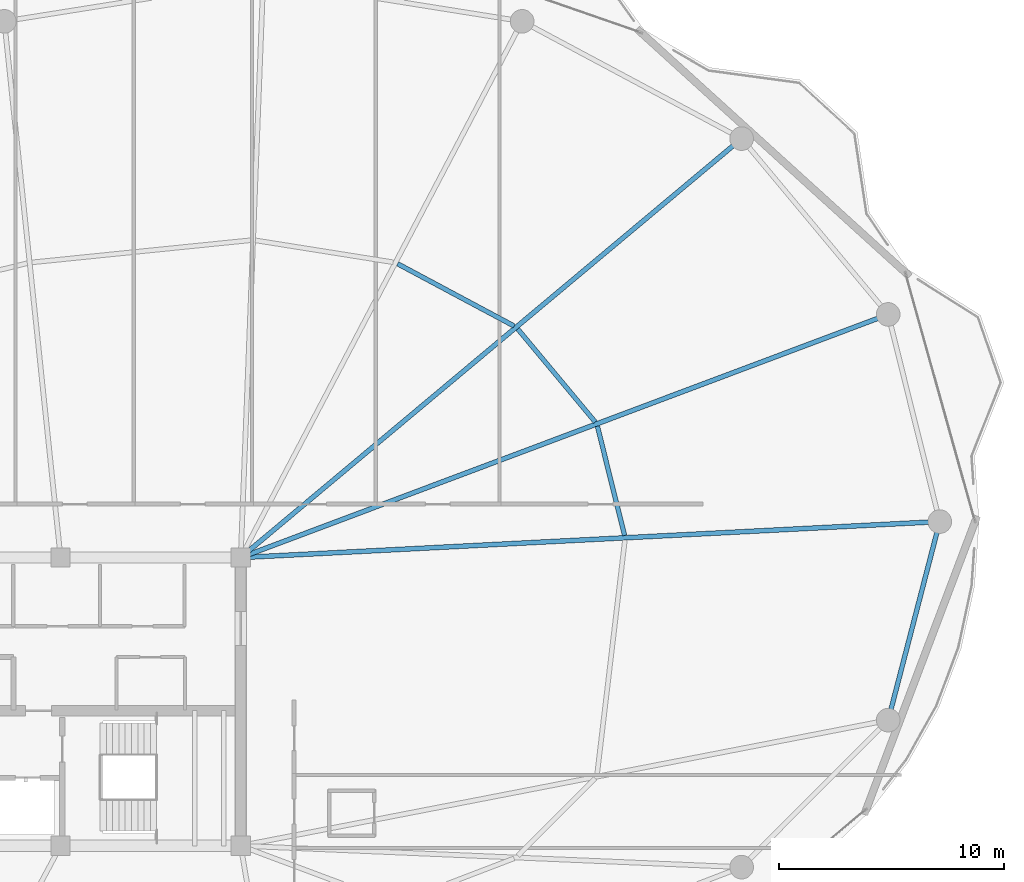
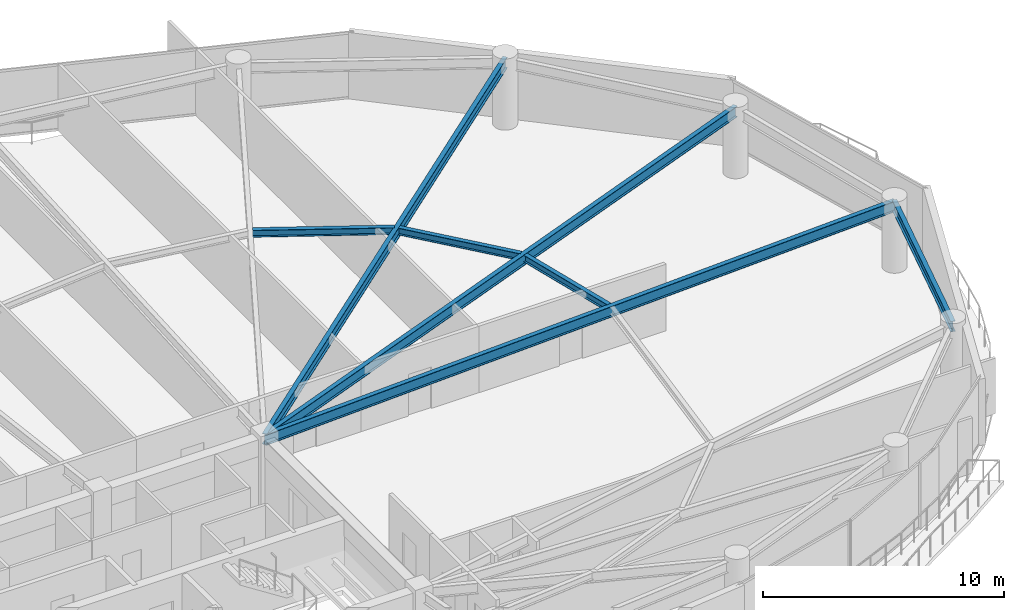
# One storey, part 14 of 29: 7 beams.
"""IFC4 building model written with IfcOpenShell, lengths in metres."""

from ifc_helpers import new_model, si_unit, direction, frame, origin, origin_2d, place, context, subcontext, project, spatial, i_section, extrude, material, material_profile, profile_set, type_object, element, save


model = new_model("IFC4")

# Units and contexts
model_context = context("Model", 3, precision=1e-05, world=origin(), true_north=direction((0.0, 1.0)))
body_context = subcontext(model_context, "Body", "Model", "MODEL_VIEW")
ifc_project = project(units=[si_unit("LENGTHUNIT", "METRE"), si_unit("AREAUNIT", "SQUARE_METRE"), si_unit("VOLUMEUNIT", "CUBIC_METRE"), si_unit("PLANEANGLEUNIT", "RADIAN"), si_unit("MASSUNIT", "GRAM", prefix="KILO")], contexts=[model_context])

# Site, building, storey
site_placement = place(None, origin())
site = spatial("IfcSite", under=ifc_project, at=site_placement, CompositionType="ELEMENT")
building_placement = place(site_placement, origin())
building = spatial("IfcBuilding", under=site, at=building_placement, Name="Kazevale Care Tower and Concert Hall", CompositionType="ELEMENT")
storey_placement = place(building_placement, frame((0.0, 0.0, 213.60009765625)))
storey = spatial("IfcBuildingStorey", under=building, at=storey_placement, Name="L56", CompositionType="ELEMENT", Elevation=213.60009765625)

# Beams
ifc_material = material(Name="Steel ASTM A572 Gr 50", Category="steel")
ifc_material_profile_1 = material_profile(ifc_material, i_section(OverallWidth=0.2119140625, OverallDepth=0.5439453125, WebThickness=0.01318359375, FlangeThickness=0.021240234375, at=origin_2d()), Name="W530x123")
ifc_profile_set_1 = profile_set([ifc_material_profile_1], Name="Steel ASTM A572 Gr 50")
beam_type_1 = type_object("IfcBeamType", Name="Radial Floor Girder W530x123", PredefinedType="BEAM", material=ifc_profile_set_1)
beam_1_placement = place(storey_placement, frame((44.0, 36.39990234375, 3.087890625), z_axis=(0.998674821251, 0.051464564506, 0.0), x_axis=(-0.051464564506, 0.998674821251, 0.0)))
element("IfcBeam", 1, at=beam_1_placement, inside=storey, type_object=beam_type_1, Name="beam:L56:rad:01", PredefinedType="BEAM", context=body_context, shape_type="SweptSolid", body=[
    extrude(i_section(OverallWidth=0.2119140625, OverallDepth=0.5439453125, WebThickness=0.01318359375, FlangeThickness=0.021240234375, at=origin_2d()), origin(), (0.0, 0.0, 1.0), 31.09130859375),
])
beam_2_placement = place(storey_placement, frame((44.0, 36.39990234375, 3.087890625), z_axis=(0.936168070124, 0.351552762015, 0.0), x_axis=(-0.351552762015, 0.936168070124, 0.0)))
element("IfcBeam", 2, at=beam_2_placement, inside=storey, type_object=beam_type_1, Name="beam:L56:rad:02", PredefinedType="BEAM", context=body_context, shape_type="SweptSolid", body=[
    extrude(i_section(OverallWidth=0.2119140625, OverallDepth=0.5439453125, WebThickness=0.01318359375, FlangeThickness=0.021240234375, at=origin_2d()), origin(), (0.0, 0.0, 1.0), 30.720947265625),
])
beam_3_placement = place(storey_placement, frame((44.0, 36.39990234375, 3.087890625), z_axis=(0.767059624015, 0.64157582031, 0.0), x_axis=(-0.64157582031, 0.767059624015, 0.0)))
element("IfcBeam", 3, at=beam_3_placement, inside=storey, type_object=beam_type_1, Name="beam:L56:rad:03", PredefinedType="BEAM", context=body_context, shape_type="SweptSolid", body=[
    extrude(i_section(OverallWidth=0.2119140625, OverallDepth=0.5439453125, WebThickness=0.01318359375, FlangeThickness=0.021240234375, at=origin_2d()), origin(), (0.0, 0.0, 1.0), 29.0068359375),
])
ifc_material_profile_2 = material_profile(ifc_material, i_section(OverallWidth=0.205078125, OverallDepth=0.35400390625, WebThickness=0.009521484375, FlangeThickness=0.016845703125, at=origin_2d()), Name="W360x79")
ifc_profile_set_2 = profile_set([ifc_material_profile_2], Name="Steel ASTM A572 Gr 50")
beam_type_2 = type_object("IfcBeamType", Name="Secondary Floor Joist W360x79", PredefinedType="JOIST", material=ifc_profile_set_2)
beam_4_placement = place(storey_placement, frame((61.052001953125, 37.382080078125, 3.182861328125), z_axis=(-0.241594204931, 0.970377369967, 0.0), x_axis=(-0.970377369967, -0.241594204931, 0.0)))
element("IfcBeam", 4, at=beam_4_placement, inside=storey, type_object=beam_type_2, Name="beam:L56:joist:01", PredefinedType="JOIST", context=body_context, shape_type="SweptSolid", body=[
    extrude(i_section(OverallWidth=0.205078125, OverallDepth=0.35400390625, WebThickness=0.009521484375, FlangeThickness=0.016845703125, at=origin_2d()), origin(), (0.0, 0.0, 1.0), 5.004150390625),
])
beam_5_placement = place(storey_placement, frame((59.7509765625, 42.4208984375, 3.182861328125), z_axis=(-0.640295940788, 0.768128314939, 0.0), x_axis=(-0.768128314939, -0.640295940788, 0.0)))
element("IfcBeam", 5, at=beam_5_placement, inside=storey, type_object=beam_type_2, Name="beam:L56:joist:02", PredefinedType="JOIST", context=body_context, shape_type="SweptSolid", body=[
    extrude(i_section(OverallWidth=0.205078125, OverallDepth=0.35400390625, WebThickness=0.009521484375, FlangeThickness=0.016845703125, at=origin_2d()), origin(), (0.0, 0.0, 1.0), 5.3818359375),
])
beam_6_placement = place(storey_placement, frame((56.14501953125, 46.68505859375, 3.182861328125), z_axis=(-0.881943890935, 0.471354403016, 0.0), x_axis=(-0.471354403016, -0.881943890935, 0.0)))
element("IfcBeam", 6, at=beam_6_placement, inside=storey, type_object=beam_type_2, Name="beam:L56:joist:03", PredefinedType="JOIST", context=body_context, shape_type="SweptSolid", body=[
    extrude(i_section(OverallWidth=0.205078125, OverallDepth=0.35400390625, WebThickness=0.009521484375, FlangeThickness=0.016845703125, at=origin_2d()), origin(), (0.0, 0.0, 1.0), 5.869873046875),
])
ifc_material_profile_3 = material_profile(ifc_material, i_section(OverallWidth=0.208984375, OverallDepth=0.532958984375, WebThickness=0.01025390625, FlangeThickness=0.015625, at=origin_2d()), Name="W530x92")
ifc_profile_set_3 = profile_set([ifc_material_profile_3], Name="Steel ASTM A572 Gr 50")
beam_type_3 = type_object("IfcBeamType", Name="Upper Ring Beam W530x92", PredefinedType="BEAM", material=ifc_profile_set_3)
beam_7_placement = place(storey_placement, frame((72.760009765625, 29.179931640625, 3.093505859375), z_axis=(0.251307095899, 0.96790740443, 0.0), x_axis=(-0.96790740443, 0.251307095899, 0.0)))
element("IfcBeam", 7, at=beam_7_placement, inside=storey, type_object=beam_type_3, Name="beam:L56:ring:16", PredefinedType="BEAM", context=body_context, shape_type="SweptSolid", body=[
    extrude(i_section(OverallWidth=0.208984375, OverallDepth=0.532958984375, WebThickness=0.01025390625, FlangeThickness=0.015625, at=origin_2d()), origin(), (0.0, 0.0, 1.0), 9.112548828125),
])

save(model, "model.ifc")
